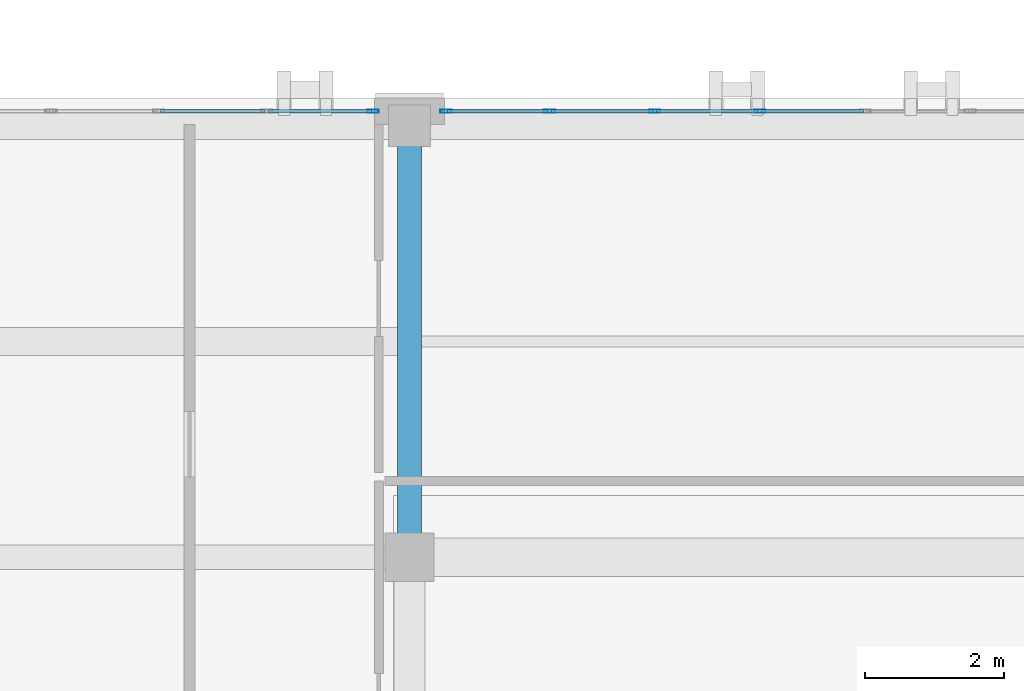
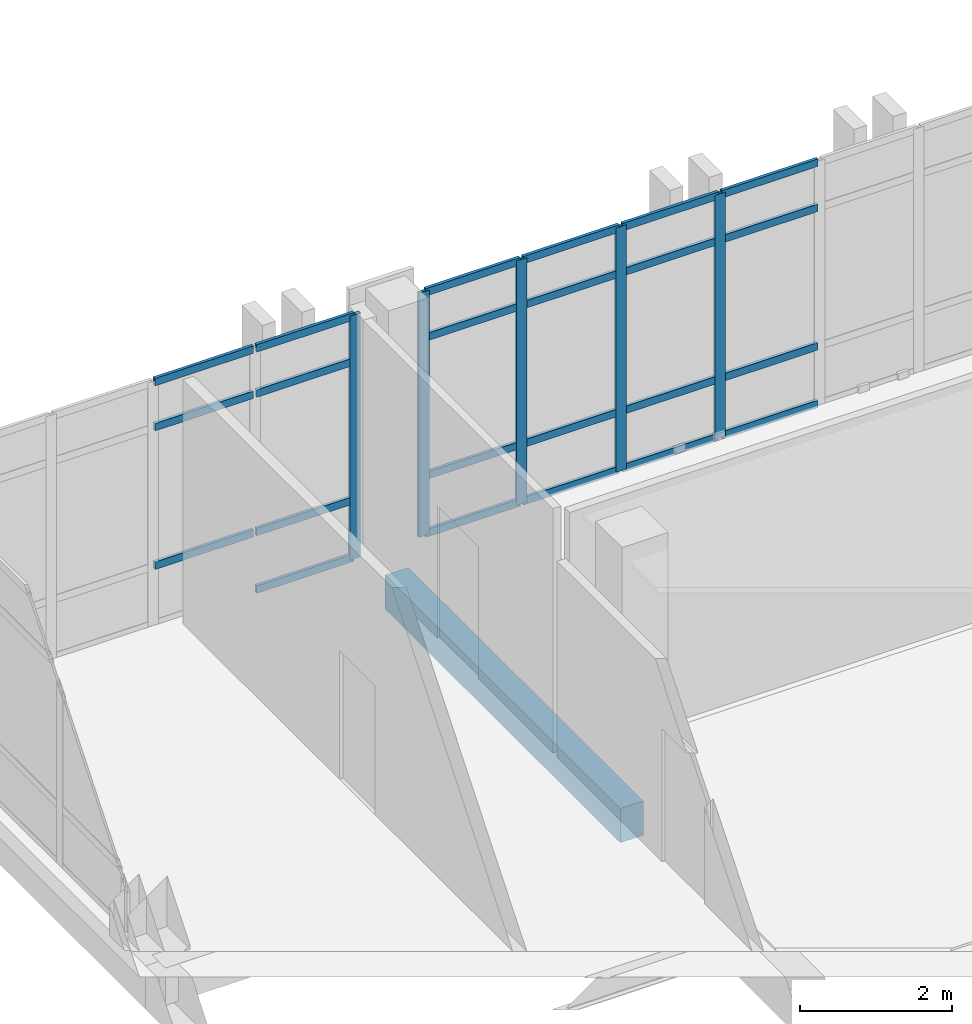
# One storey, part 51 of 90: 28 members, 1 beam, 2 elements without a shape of their own.
"""IFC4 building model written with IfcOpenShell, lengths in metres."""

import ifcopenshell
import ifcopenshell.guid

model = None  # the IFC model being written
_history = None  # IfcOwnerHistory: only IFC2X3 demands one
_inside = {}  # id of a spatial element -> (the spatial element, [elements in it])
_under = {}  # id of a project, library or spatial element -> (it, [spatial elements below it])
_declared = {}  # id of a project -> (the project, [libraries it declares])
_typed = {}  # id of a type object -> (the type object, [elements of that type])
_made_of = {}  # id of a material, layer set ... -> (it, [elements and type objects made of it])


def new_model(schema):
    """Start an empty IFC model of exactly this schema.

    Asked for "IFC4X3", IfcOpenShell would pick the latest addendum, in which some entities
    have other attributes; the version numbers below select the first issue.
    IFC2X3 requires an IfcOwnerHistory on every rooted entity: one is made here for all.
    """
    global model, _history
    if schema == "IFC4X3":
        model = ifcopenshell.file(schema_version=(4, 3, 0, 0))
    else:
        model = ifcopenshell.file(schema=schema)
    _inside.clear()
    _under.clear()
    _declared.clear()
    _typed.clear()
    _made_of.clear()
    _history = None
    if model.schema == "IFC2X3":
        org = make("IfcOrganization", Name="unknown")
        user = make(
            "IfcPersonAndOrganization",
            ThePerson=make("IfcPerson", FamilyName="unknown"),
            TheOrganization=org,
        )
        app = make(
            "IfcApplication",
            ApplicationDeveloper=org,
            Version="unknown",
            ApplicationFullName="unknown",
            ApplicationIdentifier="unknown",
        )
        _history = make(
            "IfcOwnerHistory",
            OwningUser=user,
            OwningApplication=app,
            ChangeAction="ADDED",
            CreationDate=0,
        )
    return model


def make(cls, **values):
    """One entity of the class cls with the attributes given. An attribute that is None is left unset."""
    return model.create_entity(
        cls, **{name: value for name, value in values.items() if value is not None}
    )


def rooted(cls, **values):
    """An entity with a GlobalId (a new one), such as an element, a storey or a relation."""
    return make(cls, GlobalId=ifcopenshell.guid.new(), OwnerHistory=_history, **values)


def si_unit(unit_type, name, prefix=None):
    """IfcSIUnit, for example si_unit("LENGTHUNIT", "METRE", prefix="MILLI")."""
    return make("IfcSIUnit", UnitType=unit_type, Prefix=prefix, Name=name)


def assignment(units):
    """IfcUnitAssignment: the units of a project."""
    return None if units is None else make("IfcUnitAssignment", Units=units)


def point(xyz):
    """IfcCartesianPoint."""
    return None if xyz is None else make("IfcCartesianPoint", Coordinates=xyz)


def direction(xyz):
    """IfcDirection."""
    return None if xyz is None else make("IfcDirection", DirectionRatios=xyz)


def frame(location, z_axis=None, x_axis=None):
    """IfcAxis2Placement3D, a coordinate frame: its origin and axes. An axis left out is left unset."""
    return make(
        "IfcAxis2Placement3D",
        Location=point(location),
        Axis=direction(z_axis),
        RefDirection=direction(x_axis),
    )


def frame_2d(location, x_axis=None):
    """IfcAxis2Placement2D, a coordinate frame in the plane: its origin and x axis."""
    return make(
        "IfcAxis2Placement2D", Location=point(location), RefDirection=direction(x_axis)
    )


def origin():
    """The frame at (0, 0, 0) with its axes left unset."""
    return frame((0.0, 0.0, 0.0))


def origin_2d():
    """The frame at (0, 0) in the plane with its x axis left unset."""
    return frame_2d((0.0, 0.0))


def place(relative_to, where):
    """IfcLocalPlacement: puts the frame where relative to a parent placement (None: the world)."""
    return make(
        "IfcLocalPlacement", PlacementRelTo=relative_to, RelativePlacement=where
    )


def context(
    kind, dimensions, precision=None, world=None, true_north=None, identifier=None
):
    """IfcGeometricRepresentationContext, for example the 3D "Model" context."""
    return make(
        "IfcGeometricRepresentationContext",
        ContextIdentifier=identifier,
        ContextType=kind,
        CoordinateSpaceDimension=dimensions,
        Precision=precision,
        WorldCoordinateSystem=world,
        TrueNorth=true_north,
    )


def subcontext(parent, identifier, kind, view, scale=None):
    """IfcGeometricRepresentationSubContext, for example "Body" below "Model"."""
    return make(
        "IfcGeometricRepresentationSubContext",
        ContextIdentifier=identifier,
        ContextType=kind,
        ParentContext=parent,
        TargetScale=scale,
        TargetView=view,
    )


def project(units=None, contexts=None):
    """IfcProject with its units and contexts."""
    return rooted(
        "IfcProject",
        Name="project",
        RepresentationContexts=contexts,
        UnitsInContext=assignment(units),
    )


def spatial(cls, under=None, at=None, **own):
    """A site, building, storey or space (cls), placed at a placement, below another one or the project."""
    s = rooted(cls, ObjectPlacement=at, **own)
    if under is not None:
        _under.setdefault(under.id(), (under, []))[1].append(s)
    return s


def profile(cls, at=None, kind="AREA", **sizes):
    """A parametric profile (cls). Its sizes go by their IFC names, for example OverallWidth=200.0."""
    return make(cls, ProfileType=kind, Position=at, **sizes)


def rectangle(**sizes):
    """IfcRectangleProfileDef."""
    return profile("IfcRectangleProfileDef", **sizes)


def hollow_rectangle(**sizes):
    """IfcRectangleHollowProfileDef."""
    return profile("IfcRectangleHollowProfileDef", **sizes)


def extrude(swept, where, along, depth):
    """IfcExtrudedAreaSolid: the profile swept, set in the frame where, extruded along a direction by depth."""
    return make(
        "IfcExtrudedAreaSolid",
        SweptArea=swept,
        Position=where,
        ExtrudedDirection=direction(along),
        Depth=depth,
    )


def shape(context_of_items, identifier, shape_type, items):
    """IfcShapeRepresentation: the items that make up one representation, for example the "Body"."""
    return make(
        "IfcShapeRepresentation",
        ContextOfItems=context_of_items,
        RepresentationIdentifier=identifier,
        RepresentationType=shape_type,
        Items=items,
    )


def material(Name=None, Category=None):
    """IfcMaterial."""
    return make("IfcMaterial", Name=Name, Category=Category)


def layer(
    of_material, thickness, ventilated=None, Name=None, Category=None, Priority=None
):
    """IfcMaterialLayer: one layer of a wall or slab, of a material (None: an air gap)."""
    return make(
        "IfcMaterialLayer",
        Material=of_material,
        LayerThickness=thickness,
        IsVentilated=ventilated,
        Name=Name,
        Category=Category,
        Priority=Priority,
    )


def layer_set(layers, Name=None):
    """IfcMaterialLayerSet."""
    return make("IfcMaterialLayerSet", MaterialLayers=layers, LayerSetName=Name)


def material_profile(
    of_material, cross_section, Name=None, Category=None, Priority=None
):
    """IfcMaterialProfile: a cross section and its material."""
    return make(
        "IfcMaterialProfile",
        Name=Name,
        Material=of_material,
        Profile=cross_section,
        Priority=Priority,
        Category=Category,
    )


def profile_set(profiles, Name=None, composite=None):
    """IfcMaterialProfileSet."""
    return make(
        "IfcMaterialProfileSet",
        Name=Name,
        MaterialProfiles=profiles,
        CompositeProfile=composite,
    )


def made_of(thing, what):
    """Note that an element or type object is made of a material, layer set ...; save() writes the relation."""
    if what is not None:
        _made_of.setdefault(what.id(), (what, []))[1].append(thing)
    return thing


def type_object(cls, material=None, **own):
    """A type object (cls), such as IfcWallType, which elements share."""
    return made_of(rooted(cls, **own), material)


def element(
    cls,
    number,
    at=None,
    inside=None,
    cuts=None,
    type_object=None,
    material=None,
    context=None,
    identifier="Body",
    shape_type=None,
    held_by="IfcProductDefinitionShape",
    body=None,
    shapes=None,
    **own,
):
    """One element of the class cls, such as IfcWall. Its Tag is "e" and its number.

    at: its placement. inside: the storey or other place that contains it. cuts: it is an
    opening in that element (IfcRelVoidsElement). A single representation is given by context,
    identifier, shape_type and body (its items); several are given by shapes. held_by: the class
    of the entity that holds the representations. save() writes the other relations.
    """
    e = rooted(cls, Tag="e%d" % number, ObjectPlacement=at, **own)
    if body is not None:
        shapes = [shape(context, identifier, shape_type, body)]
    if shapes is not None:
        e.Representation = make(held_by, Representations=shapes)
    if inside is not None:
        _inside.setdefault(inside.id(), (inside, []))[1].append(e)
    if cuts is not None:
        rooted(
            "IfcRelVoidsElement", RelatingBuildingElement=cuts, RelatedOpeningElement=e
        )
    if type_object is not None:
        _typed.setdefault(type_object.id(), (type_object, []))[1].append(e)
    return made_of(e, material)


def aggregate(whole, parts):
    """IfcRelAggregates: a whole, such as a stair, and the parts it consists of."""
    return rooted("IfcRelAggregates", RelatingObject=whole, RelatedObjects=parts)


def save(model, path):
    """Write the relations noted so far, then the file.

    IfcRelAggregates (storeys below a building ...), IfcRelContainedInSpatialStructure (elements
    in a storey), IfcRelDefinesByType, IfcRelAssociatesMaterial and IfcRelDeclares: one each for
    every whole, place, type object, material and project.
    """
    for whole, parts in _under.values():
        aggregate(whole, parts)
    for where, things in _inside.values():
        rooted(
            "IfcRelContainedInSpatialStructure",
            RelatedElements=things,
            RelatingStructure=where,
        )
    for kind, things in _typed.values():
        rooted("IfcRelDefinesByType", RelatedObjects=things, RelatingType=kind)
    for what, things in _made_of.values():
        rooted("IfcRelAssociatesMaterial", RelatedObjects=things, RelatingMaterial=what)
    for by, libraries in _declared.values():
        rooted("IfcRelDeclares", RelatingContext=by, RelatedDefinitions=libraries)
    model.write(path)


model = new_model("IFC4")

# Units and contexts
model_context = context("Model", 3, precision=1e-05, world=origin(), true_north=direction((0.0, 1.0)))
body_context = subcontext(model_context, "Body", "Model", "MODEL_VIEW")
ifc_project = project(units=[si_unit("LENGTHUNIT", "METRE"), si_unit("AREAUNIT", "SQUARE_METRE"), si_unit("VOLUMEUNIT", "CUBIC_METRE"), si_unit("PLANEANGLEUNIT", "RADIAN"), si_unit("MASSUNIT", "GRAM", prefix="KILO")], contexts=[model_context])

# Site, building, storey
site_placement = place(None, origin())
site = spatial("IfcSite", under=ifc_project, at=site_placement, CompositionType="ELEMENT")
building_placement = place(site_placement, origin())
building = spatial("IfcBuilding", under=site, at=building_placement, Name="Qalavern Law Courts", CompositionType="ELEMENT")
storey_placement = place(building_placement, frame((0.0, 0.0, 22.800048828125)))
storey = spatial("IfcBuildingStorey", under=building, at=storey_placement, Name="L05", CompositionType="ELEMENT", Elevation=22.800048828125)

# Curtain wall, members
ifc_material_1 = material(Name="Anodised aluminium and insulated glazing", Category="aluminium")
ifc_layer = layer(ifc_material_1, 0.159912109375)
ifc_layer_set = layer_set([ifc_layer], Name="Anodised aluminium and insulated glazing")
curtain_wall_type = type_object("IfcCurtainWallType", Name="ENV-CW-CHAMB", PredefinedType="USERDEFINED", material=ifc_layer_set)
curtain_wall_1_placement = place(storey_placement, origin())
curtain_wall_1 = element("IfcCurtainWall", 1, at=curtain_wall_1_placement, inside=storey, type_object=curtain_wall_type, Name="V4 unitised curtain wall L05 north 1", ObjectType="UNITISED CURTAIN WALL", PredefinedType="USERDEFINED")
ifc_material_2 = material(Name="Anodised aluminium", Category="aluminium")
ifc_material_profile_1 = material_profile(ifc_material_2, hollow_rectangle(XDim=0.048095703125, YDim=0.159912109375, WallThickness=0.00390625, at=origin_2d()), Name="ALU MULLION 48x160")
ifc_profile_set_1 = profile_set([ifc_material_profile_1], Name="Anodised aluminium")
member_type_1 = type_object("IfcMemberType", Name="ENV-CWM-48x160", PredefinedType="MULLION", material=ifc_profile_set_1)
member_1_placement = place(storey_placement, frame((96.833251953125, 85.607421875, 0.0), z_axis=(0.0, 0.0, 1.0), x_axis=(0.0, -1.0, 0.0)))
member_1 = element("IfcMember", 2, at=member_1_placement, type_object=member_type_1, Name="CW-04 mullion 7", PredefinedType="MULLION", context=body_context, shape_type="SweptSolid", body=[
    extrude(hollow_rectangle(XDim=0.048095703125, YDim=0.159912109375, WallThickness=0.00390625, at=origin_2d()), origin(), (0.0, 0.0, 1.0), 3.929931640625),
])
member_2_placement = place(storey_placement, frame((95.322265625, 85.607421875, 0.0), z_axis=(0.0, 0.0, 1.0), x_axis=(0.0, -1.0, 0.0)))
member_2 = element("IfcMember", 3, at=member_2_placement, type_object=member_type_1, Name="CW-04 mullion 8", PredefinedType="MULLION", context=body_context, shape_type="SweptSolid", body=[
    extrude(hollow_rectangle(XDim=0.048095703125, YDim=0.159912109375, WallThickness=0.00390625, at=origin_2d()), origin(), (0.0, 0.0, 1.0), 3.929931640625),
])
member_3_placement = place(storey_placement, frame((93.81103515625, 85.607421875, 0.0), z_axis=(0.0, 0.0, 1.0), x_axis=(0.0, -1.0, 0.0)))
member_3 = element("IfcMember", 4, at=member_3_placement, type_object=member_type_1, Name="CW-04 mullion 9", PredefinedType="MULLION", context=body_context, shape_type="SweptSolid", body=[
    extrude(hollow_rectangle(XDim=0.048095703125, YDim=0.159912109375, WallThickness=0.00390625, at=origin_2d()), origin(), (0.0, 0.0, 1.0), 3.929931640625),
])
member_4_placement = place(storey_placement, frame((92.323974609375, 85.607421875, 0.0), z_axis=(0.0, 0.0, 1.0), x_axis=(0.0, -1.0, 0.0)))
member_4 = element("IfcMember", 5, at=member_4_placement, type_object=member_type_1, Name="CW-04 mullion 10", PredefinedType="MULLION", context=body_context, shape_type="SweptSolid", body=[
    extrude(hollow_rectangle(XDim=0.048095703125, YDim=0.159912109375, WallThickness=0.00390625, at=origin_2d()), origin(), (0.0, 0.0, 1.0), 3.929931640625),
])

# Curtain wall, member
curtain_wall_2_placement = place(storey_placement, origin())
curtain_wall_2 = element("IfcCurtainWall", 6, at=curtain_wall_2_placement, inside=storey, type_object=curtain_wall_type, Name="V4 unitised curtain wall L05 north 2", ObjectType="UNITISED CURTAIN WALL", PredefinedType="USERDEFINED")
member_5_placement = place(storey_placement, frame((91.27587890625, 85.607421875, 0.0), z_axis=(0.0, 0.0, 1.0), x_axis=(0.0, -1.0, 0.0)))
member_5 = element("IfcMember", 7, at=member_5_placement, type_object=member_type_1, Name="CW-04 mullion 1", PredefinedType="MULLION", context=body_context, shape_type="SweptSolid", body=[
    extrude(hollow_rectangle(XDim=0.048095703125, YDim=0.159912109375, WallThickness=0.00390625, at=origin_2d()), origin(), (0.0, 0.0, 1.0), 3.929931640625),
])

# Member
ifc_material_profile_2 = material_profile(ifc_material_2, hollow_rectangle(XDim=0.048095703125, YDim=0.1201171875, WallThickness=0.00390625, at=origin_2d()), Name="ALU TRANSOM 48x120")
ifc_profile_set_2 = profile_set([ifc_material_profile_2], Name="Anodised aluminium")
member_type_2 = type_object("IfcMemberType", Name="ENV-CWT-48x120", PredefinedType="USERDEFINED", material=ifc_profile_set_2)
member_6_placement = place(storey_placement, frame((98.320556640625, 85.607421875, 0.02392578125), z_axis=(-1.0, 0.0, 0.0), x_axis=(0.0, -1.0, 0.0)))
member_6 = element("IfcMember", 8, at=member_6_placement, type_object=member_type_2, Name="CW-04 transom 6.1", ObjectType="TRANSOM", PredefinedType="USERDEFINED", context=body_context, shape_type="SweptSolid", body=[
    extrude(hollow_rectangle(XDim=0.048095703125, YDim=0.1201171875, WallThickness=0.00390625, at=origin_2d()), origin(), (0.0, 0.0, 1.0), 1.463134765625),
])

member_7_placement = place(storey_placement, frame((98.320556640625, 85.607421875, 0.949951171875), z_axis=(-1.0, 0.0, 0.0), x_axis=(0.0, -1.0, 0.0)))
member_7 = element("IfcMember", 9, at=member_7_placement, type_object=member_type_2, Name="CW-04 transom 6.2", ObjectType="TRANSOM", PredefinedType="USERDEFINED", context=body_context, shape_type="SweptSolid", body=[
    extrude(hollow_rectangle(XDim=0.048095703125, YDim=0.1201171875, WallThickness=0.00390625, at=origin_2d()), origin(), (0.0, 0.0, 1.0), 1.463134765625),
])

member_8_placement = place(storey_placement, frame((98.320556640625, 85.607421875, 3.179931640625), z_axis=(-1.0, 0.0, 0.0), x_axis=(0.0, -1.0, 0.0)))
member_8 = element("IfcMember", 10, at=member_8_placement, type_object=member_type_2, Name="CW-04 transom 6.3", ObjectType="TRANSOM", PredefinedType="USERDEFINED", context=body_context, shape_type="SweptSolid", body=[
    extrude(hollow_rectangle(XDim=0.048095703125, YDim=0.1201171875, WallThickness=0.00390625, at=origin_2d()), origin(), (0.0, 0.0, 1.0), 1.463134765625),
])

member_9_placement = place(storey_placement, frame((98.320556640625, 85.607421875, 3.906005859375), z_axis=(-1.0, 0.0, 0.0), x_axis=(0.0, -1.0, 0.0)))
member_9 = element("IfcMember", 11, at=member_9_placement, type_object=member_type_2, Name="CW-04 transom 6.4", ObjectType="TRANSOM", PredefinedType="USERDEFINED", context=body_context, shape_type="SweptSolid", body=[
    extrude(hollow_rectangle(XDim=0.048095703125, YDim=0.1201171875, WallThickness=0.00390625, at=origin_2d()), origin(), (0.0, 0.0, 1.0), 1.463134765625),
])

member_10_placement = place(storey_placement, frame((96.809326171875, 85.607421875, 0.02392578125), z_axis=(-1.0, 0.0, 0.0), x_axis=(0.0, -1.0, 0.0)))
member_10 = element("IfcMember", 12, at=member_10_placement, type_object=member_type_2, Name="CW-04 transom 7.1", ObjectType="TRANSOM", PredefinedType="USERDEFINED", context=body_context, shape_type="SweptSolid", body=[
    extrude(hollow_rectangle(XDim=0.048095703125, YDim=0.1201171875, WallThickness=0.00390625, at=origin_2d()), origin(), (0.0, 0.0, 1.0), 1.463134765625),
])

member_11_placement = place(storey_placement, frame((96.809326171875, 85.607421875, 0.949951171875), z_axis=(-1.0, 0.0, 0.0), x_axis=(0.0, -1.0, 0.0)))
member_11 = element("IfcMember", 13, at=member_11_placement, type_object=member_type_2, Name="CW-04 transom 7.2", ObjectType="TRANSOM", PredefinedType="USERDEFINED", context=body_context, shape_type="SweptSolid", body=[
    extrude(hollow_rectangle(XDim=0.048095703125, YDim=0.1201171875, WallThickness=0.00390625, at=origin_2d()), origin(), (0.0, 0.0, 1.0), 1.463134765625),
])

member_12_placement = place(storey_placement, frame((96.809326171875, 85.607421875, 3.179931640625), z_axis=(-1.0, 0.0, 0.0), x_axis=(0.0, -1.0, 0.0)))
member_12 = element("IfcMember", 14, at=member_12_placement, type_object=member_type_2, Name="CW-04 transom 7.3", ObjectType="TRANSOM", PredefinedType="USERDEFINED", context=body_context, shape_type="SweptSolid", body=[
    extrude(hollow_rectangle(XDim=0.048095703125, YDim=0.1201171875, WallThickness=0.00390625, at=origin_2d()), origin(), (0.0, 0.0, 1.0), 1.463134765625),
])

member_13_placement = place(storey_placement, frame((96.809326171875, 85.607421875, 3.906005859375), z_axis=(-1.0, 0.0, 0.0), x_axis=(0.0, -1.0, 0.0)))
member_13 = element("IfcMember", 15, at=member_13_placement, type_object=member_type_2, Name="CW-04 transom 7.4", ObjectType="TRANSOM", PredefinedType="USERDEFINED", context=body_context, shape_type="SweptSolid", body=[
    extrude(hollow_rectangle(XDim=0.048095703125, YDim=0.1201171875, WallThickness=0.00390625, at=origin_2d()), origin(), (0.0, 0.0, 1.0), 1.463134765625),
])

member_14_placement = place(storey_placement, frame((95.29833984375, 85.607421875, 0.02392578125), z_axis=(-1.0, 0.0, 0.0), x_axis=(0.0, -1.0, 0.0)))
member_14 = element("IfcMember", 16, at=member_14_placement, type_object=member_type_2, Name="CW-04 transom 8.1", ObjectType="TRANSOM", PredefinedType="USERDEFINED", context=body_context, shape_type="SweptSolid", body=[
    extrude(hollow_rectangle(XDim=0.048095703125, YDim=0.1201171875, WallThickness=0.00390625, at=origin_2d()), origin(), (0.0, 0.0, 1.0), 1.463134765625),
])

member_15_placement = place(storey_placement, frame((95.29833984375, 85.607421875, 0.949951171875), z_axis=(-1.0, 0.0, 0.0), x_axis=(0.0, -1.0, 0.0)))
member_15 = element("IfcMember", 17, at=member_15_placement, type_object=member_type_2, Name="CW-04 transom 8.2", ObjectType="TRANSOM", PredefinedType="USERDEFINED", context=body_context, shape_type="SweptSolid", body=[
    extrude(hollow_rectangle(XDim=0.048095703125, YDim=0.1201171875, WallThickness=0.00390625, at=origin_2d()), origin(), (0.0, 0.0, 1.0), 1.463134765625),
])

member_16_placement = place(storey_placement, frame((95.29833984375, 85.607421875, 3.179931640625), z_axis=(-1.0, 0.0, 0.0), x_axis=(0.0, -1.0, 0.0)))
member_16 = element("IfcMember", 18, at=member_16_placement, type_object=member_type_2, Name="CW-04 transom 8.3", ObjectType="TRANSOM", PredefinedType="USERDEFINED", context=body_context, shape_type="SweptSolid", body=[
    extrude(hollow_rectangle(XDim=0.048095703125, YDim=0.1201171875, WallThickness=0.00390625, at=origin_2d()), origin(), (0.0, 0.0, 1.0), 1.463134765625),
])

member_17_placement = place(storey_placement, frame((95.29833984375, 85.607421875, 3.906005859375), z_axis=(-1.0, 0.0, 0.0), x_axis=(0.0, -1.0, 0.0)))
member_17 = element("IfcMember", 19, at=member_17_placement, type_object=member_type_2, Name="CW-04 transom 8.4", ObjectType="TRANSOM", PredefinedType="USERDEFINED", context=body_context, shape_type="SweptSolid", body=[
    extrude(hollow_rectangle(XDim=0.048095703125, YDim=0.1201171875, WallThickness=0.00390625, at=origin_2d()), origin(), (0.0, 0.0, 1.0), 1.463134765625),
])

member_18_placement = place(storey_placement, frame((93.787109375, 85.607421875, 0.02392578125), z_axis=(-1.0, 0.0, 0.0), x_axis=(0.0, -1.0, 0.0)))
member_18 = element("IfcMember", 20, at=member_18_placement, type_object=member_type_2, Name="CW-04 transom 9.1", ObjectType="TRANSOM", PredefinedType="USERDEFINED", context=body_context, shape_type="SweptSolid", body=[
    extrude(hollow_rectangle(XDim=0.048095703125, YDim=0.1201171875, WallThickness=0.00390625, at=origin_2d()), origin(), (0.0, 0.0, 1.0), 1.439208984375),
])

member_19_placement = place(storey_placement, frame((93.787109375, 85.607421875, 0.949951171875), z_axis=(-1.0, 0.0, 0.0), x_axis=(0.0, -1.0, 0.0)))
member_19 = element("IfcMember", 21, at=member_19_placement, type_object=member_type_2, Name="CW-04 transom 9.2", ObjectType="TRANSOM", PredefinedType="USERDEFINED", context=body_context, shape_type="SweptSolid", body=[
    extrude(hollow_rectangle(XDim=0.048095703125, YDim=0.1201171875, WallThickness=0.00390625, at=origin_2d()), origin(), (0.0, 0.0, 1.0), 1.439208984375),
])

member_20_placement = place(storey_placement, frame((93.787109375, 85.607421875, 3.179931640625), z_axis=(-1.0, 0.0, 0.0), x_axis=(0.0, -1.0, 0.0)))
member_20 = element("IfcMember", 22, at=member_20_placement, type_object=member_type_2, Name="CW-04 transom 9.3", ObjectType="TRANSOM", PredefinedType="USERDEFINED", context=body_context, shape_type="SweptSolid", body=[
    extrude(hollow_rectangle(XDim=0.048095703125, YDim=0.1201171875, WallThickness=0.00390625, at=origin_2d()), origin(), (0.0, 0.0, 1.0), 1.439208984375),
])

member_21_placement = place(storey_placement, frame((93.787109375, 85.607421875, 3.906005859375), z_axis=(-1.0, 0.0, 0.0), x_axis=(0.0, -1.0, 0.0)))
member_21 = element("IfcMember", 23, at=member_21_placement, type_object=member_type_2, Name="CW-04 transom 9.4", ObjectType="TRANSOM", PredefinedType="USERDEFINED", context=body_context, shape_type="SweptSolid", body=[
    extrude(hollow_rectangle(XDim=0.048095703125, YDim=0.1201171875, WallThickness=0.00390625, at=origin_2d()), origin(), (0.0, 0.0, 1.0), 1.439208984375),
])

aggregate(curtain_wall_1, [member_1, member_2, member_3, member_4, member_6, member_7, member_8, member_9, member_10, member_11, member_12, member_13, member_14, member_15, member_16, member_17, member_18, member_19, member_20, member_21])

member_22_placement = place(storey_placement, frame((91.251953125, 85.607421875, 0.02392578125), z_axis=(-1.0, 0.0, 0.0), x_axis=(0.0, -1.0, 0.0)))
member_22 = element("IfcMember", 24, at=member_22_placement, type_object=member_type_2, Name="CW-04 transom 1.1", ObjectType="TRANSOM", PredefinedType="USERDEFINED", context=body_context, shape_type="SweptSolid", body=[
    extrude(hollow_rectangle(XDim=0.048095703125, YDim=0.1201171875, WallThickness=0.00390625, at=origin_2d()), origin(), (0.0, 0.0, 1.0), 1.47802734375),
])

member_23_placement = place(storey_placement, frame((91.251953125, 85.607421875, 0.949951171875), z_axis=(-1.0, 0.0, 0.0), x_axis=(0.0, -1.0, 0.0)))
member_23 = element("IfcMember", 25, at=member_23_placement, type_object=member_type_2, Name="CW-04 transom 1.2", ObjectType="TRANSOM", PredefinedType="USERDEFINED", context=body_context, shape_type="SweptSolid", body=[
    extrude(hollow_rectangle(XDim=0.048095703125, YDim=0.1201171875, WallThickness=0.00390625, at=origin_2d()), origin(), (0.0, 0.0, 1.0), 1.47802734375),
])

member_24_placement = place(storey_placement, frame((91.251953125, 85.607421875, 3.179931640625), z_axis=(-1.0, 0.0, 0.0), x_axis=(0.0, -1.0, 0.0)))
member_24 = element("IfcMember", 26, at=member_24_placement, type_object=member_type_2, Name="CW-04 transom 1.3", ObjectType="TRANSOM", PredefinedType="USERDEFINED", context=body_context, shape_type="SweptSolid", body=[
    extrude(hollow_rectangle(XDim=0.048095703125, YDim=0.1201171875, WallThickness=0.00390625, at=origin_2d()), origin(), (0.0, 0.0, 1.0), 1.47802734375),
])

member_25_placement = place(storey_placement, frame((91.251953125, 85.607421875, 3.906005859375), z_axis=(-1.0, 0.0, 0.0), x_axis=(0.0, -1.0, 0.0)))
member_25 = element("IfcMember", 27, at=member_25_placement, type_object=member_type_2, Name="CW-04 transom 1.4", ObjectType="TRANSOM", PredefinedType="USERDEFINED", context=body_context, shape_type="SweptSolid", body=[
    extrude(hollow_rectangle(XDim=0.048095703125, YDim=0.1201171875, WallThickness=0.00390625, at=origin_2d()), origin(), (0.0, 0.0, 1.0), 1.47802734375),
])

member_26_placement = place(storey_placement, frame((89.72607421875, 85.607421875, 0.949951171875), z_axis=(-1.0, 0.0, 0.0), x_axis=(0.0, -1.0, 0.0)))
member_26 = element("IfcMember", 28, at=member_26_placement, type_object=member_type_2, Name="CW-04 transom 2.2", ObjectType="TRANSOM", PredefinedType="USERDEFINED", context=body_context, shape_type="SweptSolid", body=[
    extrude(hollow_rectangle(XDim=0.048095703125, YDim=0.1201171875, WallThickness=0.00390625, at=origin_2d()), origin(), (0.0, 0.0, 1.0), 1.501953125),
])

member_27_placement = place(storey_placement, frame((89.72607421875, 85.607421875, 3.179931640625), z_axis=(-1.0, 0.0, 0.0), x_axis=(0.0, -1.0, 0.0)))
member_27 = element("IfcMember", 29, at=member_27_placement, type_object=member_type_2, Name="CW-04 transom 2.3", ObjectType="TRANSOM", PredefinedType="USERDEFINED", context=body_context, shape_type="SweptSolid", body=[
    extrude(hollow_rectangle(XDim=0.048095703125, YDim=0.1201171875, WallThickness=0.00390625, at=origin_2d()), origin(), (0.0, 0.0, 1.0), 1.501953125),
])

member_28_placement = place(storey_placement, frame((89.72607421875, 85.607421875, 3.906005859375), z_axis=(-1.0, 0.0, 0.0), x_axis=(0.0, -1.0, 0.0)))
member_28 = element("IfcMember", 30, at=member_28_placement, type_object=member_type_2, Name="CW-04 transom 2.4", ObjectType="TRANSOM", PredefinedType="USERDEFINED", context=body_context, shape_type="SweptSolid", body=[
    extrude(hollow_rectangle(XDim=0.048095703125, YDim=0.1201171875, WallThickness=0.00390625, at=origin_2d()), origin(), (0.0, 0.0, 1.0), 1.501953125),
])

aggregate(curtain_wall_2, [member_5, member_22, member_23, member_24, member_25, member_26, member_27, member_28])

# Beam
ifc_material_3 = material(Name="Concrete C35/45", Category="concrete")
ifc_material_profile_3 = material_profile(ifc_material_3, rectangle(XDim=0.35009765625, YDim=0.550048828125, at=origin_2d()), Name="RC 350x550")
ifc_profile_set_3 = profile_set([ifc_material_profile_3], Name="Concrete C35/45")
beam_type = type_object("IfcBeamType", Name="STR-BM-RC350x550", PredefinedType="BEAM", material=ifc_profile_set_3)
beam_placement = place(storey_placement, frame((91.800048828125, 79.199951171875, -0.550048828125), z_axis=(0.0, 1.0, 0.0), x_axis=(-1.0, 0.0, 0.0)))
element("IfcBeam", 31, at=beam_placement, inside=storey, type_object=beam_type, Name="V4 Y-beam 2-5 L05", PredefinedType="BEAM", context=body_context, shape_type="SweptSolid", body=[
    extrude(rectangle(XDim=0.35009765625, YDim=0.550048828125, at=origin_2d()), origin(), (0.0, 0.0, 1.0), 6.199951171875),
])

save(model, "model.ifc")
